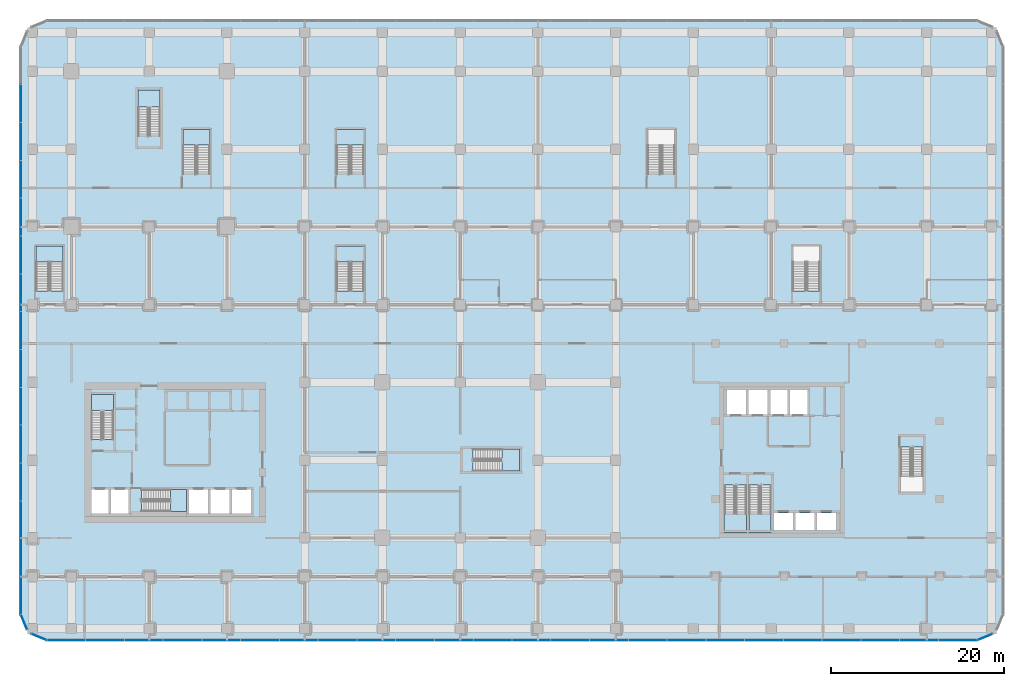
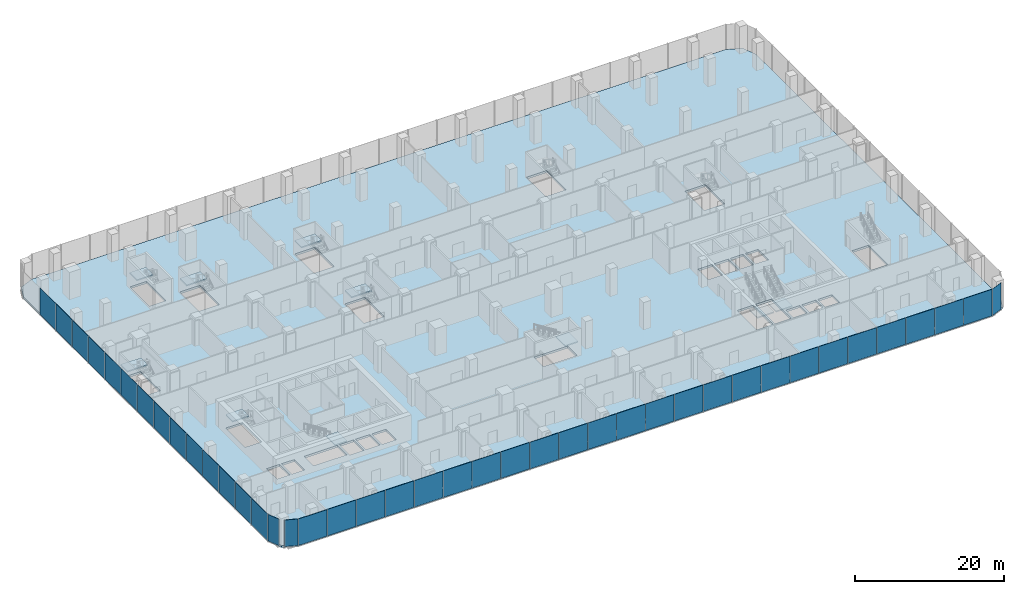
# One storey, part 26 of 43: 41 plates, 11 slabs, 15 elements without a shape of their own.
"""IFC4 building model written with IfcOpenShell, lengths in metres."""

from ifc_helpers import new_model, si_unit, direction, frame, origin, origin_2d, place, context, subcontext, project, spatial, polyline, rectangle, outline, extrude, material, layer, layer_set, type_object, element, aggregate, save


model = new_model("IFC4")

# Units and contexts
model_context = context("Model", 3, precision=1e-05, world=origin(), true_north=direction((0.0, 1.0)))
body_context = subcontext(model_context, "Body", "Model", "MODEL_VIEW")
ifc_project = project(units=[si_unit("LENGTHUNIT", "METRE"), si_unit("AREAUNIT", "SQUARE_METRE"), si_unit("VOLUMEUNIT", "CUBIC_METRE"), si_unit("PLANEANGLEUNIT", "RADIAN"), si_unit("MASSUNIT", "GRAM", prefix="KILO")], contexts=[model_context])

# Site, building, storey
site_placement = place(None, origin())
site = spatial("IfcSite", under=ifc_project, at=site_placement, CompositionType="ELEMENT")
building_placement = place(site_placement, origin())
building = spatial("IfcBuilding", under=site, at=building_placement, Name="Plateau Cross Towers", CompositionType="ELEMENT")
storey_placement = place(building_placement, frame((0.0, 0.0, 17.300048828125)))
storey = spatial("IfcBuildingStorey", under=building, at=storey_placement, Name="L03", CompositionType="ELEMENT", Elevation=17.300048828125)

# Curtain wall, plates
ifc_material_1 = material(Name="Dark low-iron laminated glass", Category="glass")
ifc_layer_1 = layer(ifc_material_1, 0.300048828125)
ifc_layer_set_1 = layer_set([ifc_layer_1], Name="Dark low-iron laminated glass")
curtain_wall_type = type_object("IfcCurtainWallType", Name="Curtain wall structural silicone CW-C", PredefinedType="NOTDEFINED", material=ifc_layer_set_1)
curtain_wall_1_placement = place(storey_placement, origin())
curtain_wall_1 = element("IfcCurtainWall", 1, at=curtain_wall_1_placement, inside=storey, type_object=curtain_wall_type, Name="ENV/P/L03/P-28_-118", PredefinedType="NOTDEFINED")
ifc_layer_2 = layer(ifc_material_1, 0.0439453125)
ifc_layer_set_2 = layer_set([ifc_layer_2], Name="Dark low-iron laminated glass")
plate_type = type_object("IfcPlateType", Name="Glass panel 44 structural silicone", PredefinedType="CURTAIN_PANEL", material=ifc_layer_set_2)
plate_1_placement = place(storey_placement, frame((-0.606201171875, -11.85009765625, -0.2001953125), z_axis=(0.0, 0.0, 1.0), x_axis=(1.0, 0.0, 0.0)))
plate_1 = element("IfcPlate", 2, at=plate_1_placement, type_object=plate_type, Name="CW-C panel 1", PredefinedType="CURTAIN_PANEL", context=body_context, shape_type="SweptSolid", body=[
    extrude(rectangle(XDim=4.4375, YDim=0.0439453125, at=origin_2d()), origin(), (0.0, 0.0, 1.0), 4.35009765625),
])
plate_2_placement = place(storey_placement, frame((3.88134765625, -11.85009765625, -0.2001953125), z_axis=(0.0, 0.0, 1.0), x_axis=(1.0, 0.0, 0.0)))
plate_2 = element("IfcPlate", 3, at=plate_2_placement, type_object=plate_type, Name="CW-C panel 2", PredefinedType="CURTAIN_PANEL", context=body_context, shape_type="SweptSolid", body=[
    extrude(rectangle(XDim=4.4375, YDim=0.0439453125, at=origin_2d()), origin(), (0.0, 0.0, 1.0), 4.35009765625),
])
plate_3_placement = place(storey_placement, frame((8.36865234375, -11.85009765625, -0.2001953125), z_axis=(0.0, 0.0, 1.0), x_axis=(1.0, 0.0, 0.0)))
plate_3 = element("IfcPlate", 4, at=plate_3_placement, type_object=plate_type, Name="CW-C panel 3", PredefinedType="CURTAIN_PANEL", context=body_context, shape_type="SweptSolid", body=[
    extrude(rectangle(XDim=4.4375, YDim=0.0439453125, at=origin_2d()), origin(), (0.0, 0.0, 1.0), 4.35009765625),
])
plate_4_placement = place(storey_placement, frame((12.856201171875, -11.85009765625, -0.2001953125), z_axis=(0.0, 0.0, 1.0), x_axis=(1.0, 0.0, 0.0)))
plate_4 = element("IfcPlate", 5, at=plate_4_placement, type_object=plate_type, Name="CW-C panel 4", PredefinedType="CURTAIN_PANEL", context=body_context, shape_type="SweptSolid", body=[
    extrude(rectangle(XDim=4.4375, YDim=0.0439453125, at=origin_2d()), origin(), (0.0, 0.0, 1.0), 4.35009765625),
])
plate_5_placement = place(storey_placement, frame((17.34375, -11.85009765625, -0.2001953125), z_axis=(0.0, 0.0, 1.0), x_axis=(1.0, 0.0, 0.0)))
plate_5 = element("IfcPlate", 6, at=plate_5_placement, type_object=plate_type, Name="CW-C panel 5", PredefinedType="CURTAIN_PANEL", context=body_context, shape_type="SweptSolid", body=[
    extrude(rectangle(XDim=4.4375, YDim=0.0439453125, at=origin_2d()), origin(), (0.0, 0.0, 1.0), 4.35009765625),
])
plate_6_placement = place(storey_placement, frame((21.831298828125, -11.85009765625, -0.2001953125), z_axis=(0.0, 0.0, 1.0), x_axis=(1.0, 0.0, 0.0)))
plate_6 = element("IfcPlate", 7, at=plate_6_placement, type_object=plate_type, Name="CW-C panel 6", PredefinedType="CURTAIN_PANEL", context=body_context, shape_type="SweptSolid", body=[
    extrude(rectangle(XDim=4.4375, YDim=0.0439453125, at=origin_2d()), origin(), (0.0, 0.0, 1.0), 4.35009765625),
])
plate_7_placement = place(storey_placement, frame((26.31884765625, -11.85009765625, -0.2001953125), z_axis=(0.0, 0.0, 1.0), x_axis=(1.0, 0.0, 0.0)))
plate_7 = element("IfcPlate", 8, at=plate_7_placement, type_object=plate_type, Name="CW-C panel 7", PredefinedType="CURTAIN_PANEL", context=body_context, shape_type="SweptSolid", body=[
    extrude(rectangle(XDim=4.4375, YDim=0.0439453125, at=origin_2d()), origin(), (0.0, 0.0, 1.0), 4.35009765625),
])
plate_8_placement = place(storey_placement, frame((30.80615234375, -11.85009765625, -0.2001953125), z_axis=(0.0, 0.0, 1.0), x_axis=(1.0, 0.0, 0.0)))
plate_8 = element("IfcPlate", 9, at=plate_8_placement, type_object=plate_type, Name="CW-C panel 8", PredefinedType="CURTAIN_PANEL", context=body_context, shape_type="SweptSolid", body=[
    extrude(rectangle(XDim=4.4375, YDim=0.0439453125, at=origin_2d()), origin(), (0.0, 0.0, 1.0), 4.35009765625),
])
plate_9_placement = place(storey_placement, frame((35.293701171875, -11.85009765625, -0.2001953125), z_axis=(0.0, 0.0, 1.0), x_axis=(1.0, 0.0, 0.0)))
plate_9 = element("IfcPlate", 10, at=plate_9_placement, type_object=plate_type, Name="CW-C panel 9", PredefinedType="CURTAIN_PANEL", context=body_context, shape_type="SweptSolid", body=[
    extrude(rectangle(XDim=4.4375, YDim=0.0439453125, at=origin_2d()), origin(), (0.0, 0.0, 1.0), 4.35009765625),
])
plate_10_placement = place(storey_placement, frame((39.78125, -11.85009765625, -0.2001953125), z_axis=(0.0, 0.0, 1.0), x_axis=(1.0, 0.0, 0.0)))
plate_10 = element("IfcPlate", 11, at=plate_10_placement, type_object=plate_type, Name="CW-C panel 10", PredefinedType="CURTAIN_PANEL", context=body_context, shape_type="SweptSolid", body=[
    extrude(rectangle(XDim=4.4375, YDim=0.0439453125, at=origin_2d()), origin(), (0.0, 0.0, 1.0), 4.35009765625),
])
plate_11_placement = place(storey_placement, frame((44.268798828125, -11.85009765625, -0.2001953125), z_axis=(0.0, 0.0, 1.0), x_axis=(1.0, 0.0, 0.0)))
plate_11 = element("IfcPlate", 12, at=plate_11_placement, type_object=plate_type, Name="CW-C panel 11", PredefinedType="CURTAIN_PANEL", context=body_context, shape_type="SweptSolid", body=[
    extrude(rectangle(XDim=4.4375, YDim=0.0439453125, at=origin_2d()), origin(), (0.0, 0.0, 1.0), 4.35009765625),
])
plate_12_placement = place(storey_placement, frame((48.75634765625, -11.85009765625, -0.2001953125), z_axis=(0.0, 0.0, 1.0), x_axis=(1.0, 0.0, 0.0)))
plate_12 = element("IfcPlate", 13, at=plate_12_placement, type_object=plate_type, Name="CW-C panel 12", PredefinedType="CURTAIN_PANEL", context=body_context, shape_type="SweptSolid", body=[
    extrude(rectangle(XDim=4.4375, YDim=0.0439453125, at=origin_2d()), origin(), (0.0, 0.0, 1.0), 4.35009765625),
])
plate_13_placement = place(storey_placement, frame((53.24365234375, -11.85009765625, -0.2001953125), z_axis=(0.0, 0.0, 1.0), x_axis=(1.0, 0.0, 0.0)))
plate_13 = element("IfcPlate", 14, at=plate_13_placement, type_object=plate_type, Name="CW-C panel 13", PredefinedType="CURTAIN_PANEL", context=body_context, shape_type="SweptSolid", body=[
    extrude(rectangle(XDim=4.4375, YDim=0.0439453125, at=origin_2d()), origin(), (0.0, 0.0, 1.0), 4.35009765625),
])
plate_14_placement = place(storey_placement, frame((57.731201171875, -11.85009765625, -0.2001953125), z_axis=(0.0, 0.0, 1.0), x_axis=(1.0, 0.0, 0.0)))
plate_14 = element("IfcPlate", 15, at=plate_14_placement, type_object=plate_type, Name="CW-C panel 14", PredefinedType="CURTAIN_PANEL", context=body_context, shape_type="SweptSolid", body=[
    extrude(rectangle(XDim=4.4375, YDim=0.0439453125, at=origin_2d()), origin(), (0.0, 0.0, 1.0), 4.35009765625),
])
plate_15_placement = place(storey_placement, frame((62.21875, -11.85009765625, -0.2001953125), z_axis=(0.0, 0.0, 1.0), x_axis=(1.0, 0.0, 0.0)))
plate_15 = element("IfcPlate", 16, at=plate_15_placement, type_object=plate_type, Name="CW-C panel 15", PredefinedType="CURTAIN_PANEL", context=body_context, shape_type="SweptSolid", body=[
    extrude(rectangle(XDim=4.4375, YDim=0.0439453125, at=origin_2d()), origin(), (0.0, 0.0, 1.0), 4.35009765625),
])
plate_16_placement = place(storey_placement, frame((66.706298828125, -11.85009765625, -0.2001953125), z_axis=(0.0, 0.0, 1.0), x_axis=(1.0, 0.0, 0.0)))
plate_16 = element("IfcPlate", 17, at=plate_16_placement, type_object=plate_type, Name="CW-C panel 16", PredefinedType="CURTAIN_PANEL", context=body_context, shape_type="SweptSolid", body=[
    extrude(rectangle(XDim=4.4375, YDim=0.0439453125, at=origin_2d()), origin(), (0.0, 0.0, 1.0), 4.35009765625),
])
plate_17_placement = place(storey_placement, frame((71.19384765625, -11.85009765625, -0.2001953125), z_axis=(0.0, 0.0, 1.0), x_axis=(1.0, 0.0, 0.0)))
plate_17 = element("IfcPlate", 18, at=plate_17_placement, type_object=plate_type, Name="CW-C panel 17", PredefinedType="CURTAIN_PANEL", context=body_context, shape_type="SweptSolid", body=[
    extrude(rectangle(XDim=4.4375, YDim=0.0439453125, at=origin_2d()), origin(), (0.0, 0.0, 1.0), 4.35009765625),
])
plate_18_placement = place(storey_placement, frame((75.68115234375, -11.85009765625, -0.2001953125), z_axis=(0.0, 0.0, 1.0), x_axis=(1.0, 0.0, 0.0)))
plate_18 = element("IfcPlate", 19, at=plate_18_placement, type_object=plate_type, Name="CW-C panel 18", PredefinedType="CURTAIN_PANEL", context=body_context, shape_type="SweptSolid", body=[
    extrude(rectangle(XDim=4.4375, YDim=0.0439453125, at=origin_2d()), origin(), (0.0, 0.0, 1.0), 4.35009765625),
])
plate_19_placement = place(storey_placement, frame((80.168701171875, -11.85009765625, -0.2001953125), z_axis=(0.0, 0.0, 1.0), x_axis=(1.0, 0.0, 0.0)))
plate_19 = element("IfcPlate", 20, at=plate_19_placement, type_object=plate_type, Name="CW-C panel 19", PredefinedType="CURTAIN_PANEL", context=body_context, shape_type="SweptSolid", body=[
    extrude(rectangle(XDim=4.4375, YDim=0.0439453125, at=origin_2d()), origin(), (0.0, 0.0, 1.0), 4.35009765625),
])
plate_20_placement = place(storey_placement, frame((84.65625, -11.85009765625, -0.2001953125), z_axis=(0.0, 0.0, 1.0), x_axis=(1.0, 0.0, 0.0)))
plate_20 = element("IfcPlate", 21, at=plate_20_placement, type_object=plate_type, Name="CW-C panel 20", PredefinedType="CURTAIN_PANEL", context=body_context, shape_type="SweptSolid", body=[
    extrude(rectangle(XDim=4.4375, YDim=0.0439453125, at=origin_2d()), origin(), (0.0, 0.0, 1.0), 4.35009765625),
])
plate_21_placement = place(storey_placement, frame((89.143798828125, -11.85009765625, -0.2001953125), z_axis=(0.0, 0.0, 1.0), x_axis=(1.0, 0.0, 0.0)))
plate_21 = element("IfcPlate", 22, at=plate_21_placement, type_object=plate_type, Name="CW-C panel 21", PredefinedType="CURTAIN_PANEL", context=body_context, shape_type="SweptSolid", body=[
    extrude(rectangle(XDim=4.4375, YDim=0.0439453125, at=origin_2d()), origin(), (0.0, 0.0, 1.0), 4.35009765625),
])
plate_22_placement = place(storey_placement, frame((93.63134765625, -11.85009765625, -0.2001953125), z_axis=(0.0, 0.0, 1.0), x_axis=(1.0, 0.0, 0.0)))
plate_22 = element("IfcPlate", 23, at=plate_22_placement, type_object=plate_type, Name="CW-C panel 22", PredefinedType="CURTAIN_PANEL", context=body_context, shape_type="SweptSolid", body=[
    extrude(rectangle(XDim=4.4375, YDim=0.0439453125, at=origin_2d()), origin(), (0.0, 0.0, 1.0), 4.35009765625),
])
plate_23_placement = place(storey_placement, frame((98.11865234375, -11.85009765625, -0.2001953125), z_axis=(0.0, 0.0, 1.0), x_axis=(1.0, 0.0, 0.0)))
plate_23 = element("IfcPlate", 24, at=plate_23_placement, type_object=plate_type, Name="CW-C panel 23", PredefinedType="CURTAIN_PANEL", context=body_context, shape_type="SweptSolid", body=[
    extrude(rectangle(XDim=4.4375, YDim=0.0439453125, at=origin_2d()), origin(), (0.0, 0.0, 1.0), 4.35009765625),
])
plate_24_placement = place(storey_placement, frame((102.606201171875, -11.85009765625, -0.2001953125), z_axis=(0.0, 0.0, 1.0), x_axis=(1.0, 0.0, 0.0)))
plate_24 = element("IfcPlate", 25, at=plate_24_placement, type_object=plate_type, Name="CW-C panel 24", PredefinedType="CURTAIN_PANEL", context=body_context, shape_type="SweptSolid", body=[
    extrude(rectangle(XDim=4.4375, YDim=0.0439453125, at=origin_2d()), origin(), (0.0, 0.0, 1.0), 4.35009765625),
])
aggregate(curtain_wall_1, [plate_1, plate_2, plate_3, plate_4, plate_5, plate_6, plate_7, plate_8, plate_9, plate_10, plate_11, plate_12, plate_13, plate_14, plate_15, plate_16, plate_17, plate_18, plate_19, plate_20, plate_21, plate_22, plate_23, plate_24])

# Curtain wall, plate
curtain_wall_2_placement = place(storey_placement, origin())
curtain_wall_2 = element("IfcCurtainWall", 26, at=curtain_wall_2_placement, inside=storey, type_object=curtain_wall_type, Name="ENV/P/L03/P1048_-118", PredefinedType="NOTDEFINED")
plate_25_placement = place(storey_placement, frame((105.731201171875, -11.485107421875, -0.2001953125), z_axis=(0.0, 0.0, 1.0), x_axis=(0.923879457699, 0.382683612978, 0.0)))
plate_25 = element("IfcPlate", 27, at=plate_25_placement, type_object=plate_type, Name="CW-C panel 1", PredefinedType="CURTAIN_PANEL", context=body_context, shape_type="SweptSolid", body=[
    extrude(rectangle(XDim=1.857666015625, YDim=0.0439453125, at=origin_2d()), origin(), (0.0, 0.0, 1.0), 4.35009765625),
])
aggregate(curtain_wall_2, [plate_25])

# Curtain wall, plates
curtain_wall_3_placement = place(storey_placement, origin())
curtain_wall_3 = element("IfcCurtainWall", 28, at=curtain_wall_3_placement, inside=storey, type_object=curtain_wall_type, Name="ENV/P/L03/P-58_568", PredefinedType="NOTDEFINED")
plate_26_placement = place(storey_placement, frame((-5.85009765625, 50.280029296875, -0.2001953125), z_axis=(0.0, 0.0, 1.0), x_axis=(0.0, -1.0, 0.0)))
plate_26 = element("IfcPlate", 29, at=plate_26_placement, type_object=plate_type, Name="CW-C panel 2", PredefinedType="CURTAIN_PANEL", context=body_context, shape_type="SweptSolid", body=[
    extrude(rectangle(XDim=4.330078125, YDim=0.0439453125, at=origin_2d()), origin(), (0.0, 0.0, 1.0), 4.35009765625),
])
plate_27_placement = place(storey_placement, frame((-5.85009765625, 45.89990234375, -0.2001953125), z_axis=(0.0, 0.0, 1.0), x_axis=(0.0, -1.0, 0.0)))
plate_27 = element("IfcPlate", 30, at=plate_27_placement, type_object=plate_type, Name="CW-C panel 3", PredefinedType="CURTAIN_PANEL", context=body_context, shape_type="SweptSolid", body=[
    extrude(rectangle(XDim=4.330078125, YDim=0.0439453125, at=origin_2d()), origin(), (0.0, 0.0, 1.0), 4.35009765625),
])
plate_28_placement = place(storey_placement, frame((-5.85009765625, 41.52001953125, -0.2001953125), z_axis=(0.0, 0.0, 1.0), x_axis=(0.0, -1.0, 0.0)))
plate_28 = element("IfcPlate", 31, at=plate_28_placement, type_object=plate_type, Name="CW-C panel 4", PredefinedType="CURTAIN_PANEL", context=body_context, shape_type="SweptSolid", body=[
    extrude(rectangle(XDim=4.330078125, YDim=0.0439453125, at=origin_2d()), origin(), (0.0, 0.0, 1.0), 4.35009765625),
])
plate_29_placement = place(storey_placement, frame((-5.85009765625, 37.139892578125, -0.2001953125), z_axis=(0.0, 0.0, 1.0), x_axis=(0.0, -1.0, 0.0)))
plate_29 = element("IfcPlate", 32, at=plate_29_placement, type_object=plate_type, Name="CW-C panel 5", PredefinedType="CURTAIN_PANEL", context=body_context, shape_type="SweptSolid", body=[
    extrude(rectangle(XDim=4.330078125, YDim=0.0439453125, at=origin_2d()), origin(), (0.0, 0.0, 1.0), 4.35009765625),
])
plate_30_placement = place(storey_placement, frame((-5.85009765625, 32.760009765625, -0.2001953125), z_axis=(0.0, 0.0, 1.0), x_axis=(0.0, -1.0, 0.0)))
plate_30 = element("IfcPlate", 33, at=plate_30_placement, type_object=plate_type, Name="CW-C panel 6", PredefinedType="CURTAIN_PANEL", context=body_context, shape_type="SweptSolid", body=[
    extrude(rectangle(XDim=4.330078125, YDim=0.0439453125, at=origin_2d()), origin(), (0.0, 0.0, 1.0), 4.35009765625),
])
plate_31_placement = place(storey_placement, frame((-5.85009765625, 28.3798828125, -0.2001953125), z_axis=(0.0, 0.0, 1.0), x_axis=(0.0, -1.0, 0.0)))
plate_31 = element("IfcPlate", 34, at=plate_31_placement, type_object=plate_type, Name="CW-C panel 7", PredefinedType="CURTAIN_PANEL", context=body_context, shape_type="SweptSolid", body=[
    extrude(rectangle(XDim=4.330078125, YDim=0.0439453125, at=origin_2d()), origin(), (0.0, 0.0, 1.0), 4.35009765625),
])
plate_32_placement = place(storey_placement, frame((-5.85009765625, 24.0, -0.2001953125), z_axis=(0.0, 0.0, 1.0), x_axis=(0.0, -1.0, 0.0)))
plate_32 = element("IfcPlate", 35, at=plate_32_placement, type_object=plate_type, Name="CW-C panel 8", PredefinedType="CURTAIN_PANEL", context=body_context, shape_type="SweptSolid", body=[
    extrude(rectangle(XDim=4.330078125, YDim=0.0439453125, at=origin_2d()), origin(), (0.0, 0.0, 1.0), 4.35009765625),
])
plate_33_placement = place(storey_placement, frame((-5.85009765625, 19.6201171875, -0.2001953125), z_axis=(0.0, 0.0, 1.0), x_axis=(0.0, -1.0, 0.0)))
plate_33 = element("IfcPlate", 36, at=plate_33_placement, type_object=plate_type, Name="CW-C panel 9", PredefinedType="CURTAIN_PANEL", context=body_context, shape_type="SweptSolid", body=[
    extrude(rectangle(XDim=4.330078125, YDim=0.0439453125, at=origin_2d()), origin(), (0.0, 0.0, 1.0), 4.35009765625),
])
plate_34_placement = place(storey_placement, frame((-5.85009765625, 15.239990234375, -0.2001953125), z_axis=(0.0, 0.0, 1.0), x_axis=(0.0, -1.0, 0.0)))
plate_34 = element("IfcPlate", 37, at=plate_34_placement, type_object=plate_type, Name="CW-C panel 10", PredefinedType="CURTAIN_PANEL", context=body_context, shape_type="SweptSolid", body=[
    extrude(rectangle(XDim=4.330078125, YDim=0.0439453125, at=origin_2d()), origin(), (0.0, 0.0, 1.0), 4.35009765625),
])
plate_35_placement = place(storey_placement, frame((-5.85009765625, 10.860107421875, -0.2001953125), z_axis=(0.0, 0.0, 1.0), x_axis=(0.0, -1.0, 0.0)))
plate_35 = element("IfcPlate", 38, at=plate_35_placement, type_object=plate_type, Name="CW-C panel 11", PredefinedType="CURTAIN_PANEL", context=body_context, shape_type="SweptSolid", body=[
    extrude(rectangle(XDim=4.330078125, YDim=0.0439453125, at=origin_2d()), origin(), (0.0, 0.0, 1.0), 4.35009765625),
])
plate_36_placement = place(storey_placement, frame((-5.85009765625, 6.47998046875, -0.2001953125), z_axis=(0.0, 0.0, 1.0), x_axis=(0.0, -1.0, 0.0)))
plate_36 = element("IfcPlate", 39, at=plate_36_placement, type_object=plate_type, Name="CW-C panel 12", PredefinedType="CURTAIN_PANEL", context=body_context, shape_type="SweptSolid", body=[
    extrude(rectangle(XDim=4.330078125, YDim=0.0439453125, at=origin_2d()), origin(), (0.0, 0.0, 1.0), 4.35009765625),
])
plate_37_placement = place(storey_placement, frame((-5.85009765625, 2.10009765625, -0.2001953125), z_axis=(0.0, 0.0, 1.0), x_axis=(0.0, -1.0, 0.0)))
plate_37 = element("IfcPlate", 40, at=plate_37_placement, type_object=plate_type, Name="CW-C panel 13", PredefinedType="CURTAIN_PANEL", context=body_context, shape_type="SweptSolid", body=[
    extrude(rectangle(XDim=4.330078125, YDim=0.0439453125, at=origin_2d()), origin(), (0.0, 0.0, 1.0), 4.35009765625),
])
plate_38_placement = place(storey_placement, frame((-5.85009765625, -2.280029296875, -0.2001953125), z_axis=(0.0, 0.0, 1.0), x_axis=(0.0, -1.0, 0.0)))
plate_38 = element("IfcPlate", 41, at=plate_38_placement, type_object=plate_type, Name="CW-C panel 14", PredefinedType="CURTAIN_PANEL", context=body_context, shape_type="SweptSolid", body=[
    extrude(rectangle(XDim=4.330078125, YDim=0.0439453125, at=origin_2d()), origin(), (0.0, 0.0, 1.0), 4.35009765625),
])
plate_39_placement = place(storey_placement, frame((-5.85009765625, -6.659912109375, -0.2001953125), z_axis=(0.0, 0.0, 1.0), x_axis=(0.0, -1.0, 0.0)))
plate_39 = element("IfcPlate", 42, at=plate_39_placement, type_object=plate_type, Name="CW-C panel 15", PredefinedType="CURTAIN_PANEL", context=body_context, shape_type="SweptSolid", body=[
    extrude(rectangle(XDim=4.330078125, YDim=0.0439453125, at=origin_2d()), origin(), (0.0, 0.0, 1.0), 4.35009765625),
])
aggregate(curtain_wall_3, [plate_26, plate_27, plate_28, plate_29, plate_30, plate_31, plate_32, plate_33, plate_34, plate_35, plate_36, plate_37, plate_38, plate_39])

# Curtain wall, plate
curtain_wall_4_placement = place(storey_placement, origin())
curtain_wall_4 = element("IfcCurtainWall", 43, at=curtain_wall_4_placement, inside=storey, type_object=curtain_wall_type, Name="ENV/P/L03/P-58_-88", PredefinedType="NOTDEFINED")
plate_40_placement = place(storey_placement, frame((-5.485107421875, -9.731201171875, -0.2001953125), z_axis=(0.0, 0.0, 1.0), x_axis=(0.382683612978, -0.923879457699, 0.0)))
plate_40 = element("IfcPlate", 44, at=plate_40_placement, type_object=plate_type, Name="CW-C panel 1", PredefinedType="CURTAIN_PANEL", context=body_context, shape_type="SweptSolid", body=[
    extrude(rectangle(XDim=1.857666015625, YDim=0.0439453125, at=origin_2d()), origin(), (0.0, 0.0, 1.0), 4.35009765625),
])
aggregate(curtain_wall_4, [plate_40])

curtain_wall_5_placement = place(storey_placement, origin())
curtain_wall_5 = element("IfcCurtainWall", 45, at=curtain_wall_5_placement, inside=storey, type_object=curtain_wall_type, Name="ENV/P/L03/P-46_-111", PredefinedType="NOTDEFINED")
plate_41_placement = place(storey_placement, frame((-3.731201171875, -11.485107421875, -0.2001953125), z_axis=(0.0, 0.0, 1.0), x_axis=(0.923879457699, -0.382683612978, 0.0)))
plate_41 = element("IfcPlate", 46, at=plate_41_placement, type_object=plate_type, Name="CW-C panel 1", PredefinedType="CURTAIN_PANEL", context=body_context, shape_type="SweptSolid", body=[
    extrude(rectangle(XDim=1.857666015625, YDim=0.0439453125, at=origin_2d()), origin(), (0.0, 0.0, 1.0), 4.35009765625),
])
aggregate(curtain_wall_5, [plate_41])

# Slab
ifc_material_2 = material(Name="Concrete C40/50", Category="concrete")
ifc_layer_3 = layer(ifc_material_2, 0.35009765625)
ifc_layer_set_3 = layer_set([ifc_layer_3], Name="Concrete C40/50")
slab_type_1 = type_object("IfcSlabType", Name="Post-tensioned flat plate slab 350", PredefinedType="FLOOR", material=ifc_layer_set_3)
slab_1_placement = place(storey_placement, frame((0.0, 0.0, -0.35009765625)))
element("IfcSlab", 47, at=slab_1_placement, inside=storey, type_object=slab_type_1, Name="SL-P-L03", PredefinedType="FLOOR", context=body_context, shape_type="SweptSolid", body=[
    extrude(outline(polyline([(-4.971435546875, -10.971435546875), (-5.85009765625, -8.85009765625), (-5.85009765625, 56.85009765625), (-4.971435546875, 58.971435546875), (-2.85009765625, 59.85009765625), (104.85009765625, 59.85009765625), (106.971435546875, 58.971435546875), (107.85009765625, 56.85009765625), (107.85009765625, -8.85009765625), (106.971435546875, -10.971435546875), (104.85009765625, -11.85009765625), (-2.85009765625, -11.85009765625), (-4.971435546875, -10.971435546875)]), holes=[polyline([(4.300048828125, 2.800048828125), (4.300048828125, 5.60009765625), (2.300048828125, 5.60009765625), (2.300048828125, 2.800048828125), (4.300048828125, 2.800048828125)]), polyline([(4.60009765625, 2.800048828125), (6.60009765625, 2.800048828125), (6.60009765625, 5.60009765625), (4.60009765625, 5.60009765625), (4.60009765625, 2.800048828125)]), polyline([(13.60009765625, 2.800048828125), (15.800048828125, 2.800048828125), (15.800048828125, 5.60009765625), (13.60009765625, 5.60009765625), (13.60009765625, 2.800048828125)]), polyline([(18.300048828125, 2.800048828125), (18.300048828125, 5.60009765625), (16.10009765625, 5.60009765625), (16.10009765625, 2.800048828125), (18.300048828125, 2.800048828125)]), polyline([(18.60009765625, 2.800048828125), (20.800048828125, 2.800048828125), (20.800048828125, 5.60009765625), (18.60009765625, 5.60009765625), (18.60009765625, 2.800048828125)]), polyline([(8.10009765625, 3.050048828125), (13.300048828125, 3.050048828125), (13.300048828125, 5.60009765625), (8.10009765625, 5.60009765625), (8.10009765625, 3.050048828125)]), polyline([(51.699951171875, 7.72509765625), (51.699951171875, 10.27490234375), (46.5, 10.27490234375), (46.5, 7.72509765625), (51.699951171875, 7.72509765625)]), polyline([(4.85009765625, 11.39990234375), (4.85009765625, 16.60009765625), (2.300048828125, 16.60009765625), (2.300048828125, 11.39990234375), (4.85009765625, 11.39990234375)]), polyline([(-0.949951171875, 28.60009765625), (-0.949951171875, 33.800048828125), (-4.10009765625, 33.800048828125), (-4.10009765625, 28.60009765625), (-0.949951171875, 28.60009765625)]), polyline([(33.85009765625, 33.800048828125), (30.699951171875, 33.800048828125), (30.699951171875, 28.60009765625), (33.85009765625, 28.60009765625), (33.85009765625, 33.800048828125)]), polyline([(16.050048828125, 42.10009765625), (16.050048828125, 47.300048828125), (12.89990234375, 47.300048828125), (12.89990234375, 42.10009765625), (16.050048828125, 42.10009765625)]), polyline([(33.85009765625, 42.10009765625), (33.85009765625, 47.300048828125), (30.699951171875, 47.300048828125), (30.699951171875, 42.10009765625), (33.85009765625, 42.10009765625)]), polyline([(10.27490234375, 51.699951171875), (7.72509765625, 51.699951171875), (7.72509765625, 46.5), (10.27490234375, 46.5), (10.27490234375, 51.699951171875)]), polyline([(81.300048828125, 0.89990234375), (83.5, 0.89990234375), (83.5, 2.89990234375), (81.300048828125, 2.89990234375), (81.300048828125, 0.89990234375)]), polyline([(83.800048828125, 0.89990234375), (86.0, 0.89990234375), (86.0, 2.89990234375), (83.800048828125, 2.89990234375), (83.800048828125, 0.89990234375)]), polyline([(88.5, 0.89990234375), (88.5, 2.89990234375), (86.300048828125, 2.89990234375), (86.300048828125, 0.89990234375), (88.5, 0.89990234375)]), polyline([(75.60009765625, 6.10009765625), (75.60009765625, 0.89990234375), (78.14990234375, 0.89990234375), (78.14990234375, 6.10009765625), (75.60009765625, 6.10009765625)]), polyline([(78.449951171875, 6.10009765625), (78.449951171875, 0.89990234375), (81.0, 0.89990234375), (81.0, 6.10009765625), (78.449951171875, 6.10009765625)]), polyline([(96.0, 5.300048828125), (98.550048828125, 5.300048828125), (98.550048828125, 10.5), (96.0, 10.5), (96.0, 5.300048828125)]), polyline([(75.89990234375, 14.300048828125), (78.10009765625, 14.300048828125), (78.10009765625, 17.10009765625), (75.89990234375, 17.10009765625), (75.89990234375, 14.300048828125)]), polyline([(78.39990234375, 14.300048828125), (80.60009765625, 14.300048828125), (80.60009765625, 17.10009765625), (78.39990234375, 17.10009765625), (78.39990234375, 14.300048828125)]), polyline([(80.89990234375, 14.300048828125), (82.89990234375, 14.300048828125), (82.89990234375, 17.10009765625), (80.89990234375, 17.10009765625), (80.89990234375, 14.300048828125)]), polyline([(83.199951171875, 14.300048828125), (85.199951171875, 14.300048828125), (85.199951171875, 17.10009765625), (83.199951171875, 17.10009765625), (83.199951171875, 14.300048828125)]), polyline([(86.64990234375, 28.60009765625), (86.64990234375, 33.800048828125), (83.5, 33.800048828125), (83.5, 28.60009765625), (86.64990234375, 28.60009765625)]), polyline([(69.85009765625, 42.10009765625), (69.85009765625, 47.300048828125), (66.699951171875, 47.300048828125), (66.699951171875, 42.10009765625), (69.85009765625, 42.10009765625)])]), origin(), (0.0, 0.0, 1.0), 0.35009765625),
])

# Stair, slab
stair_type_1 = type_object("IfcStairType", Name="ST-TWR", PredefinedType="HALF_TURN_STAIR", material=ifc_material_2)
stair_1_placement = place(storey_placement, origin())
stair_1 = element("IfcStair", 48, at=stair_1_placement, inside=storey, type_object=stair_type_1, Name="L03 Protected Exit Stair ST-1", PredefinedType="HALF_TURN_STAIR")
ifc_layer_4 = layer(ifc_material_2, 0.199951171875)
ifc_layer_set_4 = layer_set([ifc_layer_4], Name="Concrete C40/50")
slab_type_2 = type_object("IfcSlabType", Name="SL-LANDING", PredefinedType="LANDING", material=ifc_layer_set_4)
slab_2_placement = place(storey_placement, frame((0.0, 0.0, 2.050048828125)))
slab_2 = element("IfcSlab", 49, at=slab_2_placement, type_object=slab_type_2, Name="ST-1 landing 1", PredefinedType="LANDING", context=body_context, shape_type="SweptSolid", body=[
    extrude(outline(polyline([(4.85009765625, 14.760009765625), (4.85009765625, 16.60009765625), (2.300048828125, 16.60009765625), (2.300048828125, 14.760009765625), (4.85009765625, 14.760009765625)])), origin(), (0.0, 0.0, 1.0), 0.199951171875),
])
aggregate(stair_1, [slab_2])

stair_2_placement = place(storey_placement, origin())
stair_2 = element("IfcStair", 50, at=stair_2_placement, inside=storey, type_object=stair_type_1, Name="L03 Protected Exit Stair ST-2", PredefinedType="HALF_TURN_STAIR")
slab_3_placement = place(storey_placement, frame((0.0, 0.0, 2.050048828125)))
slab_3 = element("IfcSlab", 51, at=slab_3_placement, type_object=slab_type_2, Name="ST-2 landing 1", PredefinedType="LANDING", context=body_context, shape_type="SweptSolid", body=[
    extrude(outline(polyline([(11.4599609375, 3.050048828125), (13.300048828125, 3.050048828125), (13.300048828125, 5.60009765625), (11.4599609375, 5.60009765625), (11.4599609375, 3.050048828125)])), origin(), (0.0, 0.0, 1.0), 0.199951171875),
])
aggregate(stair_2, [slab_3])

stair_3_placement = place(storey_placement, origin())
stair_3 = element("IfcStair", 52, at=stair_3_placement, inside=storey, type_object=stair_type_1, Name="L03 Protected Exit Stair SB-1", PredefinedType="HALF_TURN_STAIR")
slab_4_placement = place(storey_placement, frame((0.0, 0.0, 2.050048828125)))
slab_4 = element("IfcSlab", 53, at=slab_4_placement, type_object=slab_type_2, Name="SB-1 landing 1", PredefinedType="LANDING", context=body_context, shape_type="SweptSolid", body=[
    extrude(outline(polyline([(75.550048828125, 2.739990234375), (75.550048828125, 0.550048828125), (78.14990234375, 0.550048828125), (78.14990234375, 2.739990234375), (75.550048828125, 2.739990234375)])), origin(), (0.0, 0.0, 1.0), 0.199951171875),
])
aggregate(stair_3, [slab_4])

stair_4_placement = place(storey_placement, origin())
stair_4 = element("IfcStair", 54, at=stair_4_placement, inside=storey, type_object=stair_type_1, Name="L03 Protected Exit Stair SB-2", PredefinedType="HALF_TURN_STAIR")
slab_5_placement = place(storey_placement, frame((0.0, 0.0, 2.050048828125)))
slab_5 = element("IfcSlab", 55, at=slab_5_placement, type_object=slab_type_2, Name="SB-2 landing 1", PredefinedType="LANDING", context=body_context, shape_type="SweptSolid", body=[
    extrude(outline(polyline([(78.449951171875, 2.739990234375), (78.449951171875, 0.550048828125), (81.0, 0.550048828125), (81.0, 2.739990234375), (78.449951171875, 2.739990234375)])), origin(), (0.0, 0.0, 1.0), 0.199951171875),
])
aggregate(stair_4, [slab_5])

stair_5_placement = place(storey_placement, origin())
stair_5 = element("IfcStair", 56, at=stair_5_placement, inside=storey, type_object=stair_type_1, Name="L03 Protected Exit Stair E", PredefinedType="HALF_TURN_STAIR")
slab_6_placement = place(storey_placement, frame((0.0, 0.0, 2.050048828125)))
slab_6 = element("IfcSlab", 57, at=slab_6_placement, type_object=slab_type_2, Name="ES-E landing 1", PredefinedType="LANDING", context=body_context, shape_type="SweptSolid", body=[
    extrude(outline(polyline([(49.860107421875, 7.72509765625), (51.85009765625, 7.72509765625), (51.85009765625, 10.27490234375), (49.860107421875, 10.27490234375), (49.860107421875, 7.72509765625)])), origin(), (0.0, 0.0, 1.0), 0.199951171875),
])
aggregate(stair_5, [slab_6])

stair_6_placement = place(storey_placement, origin())
stair_6 = element("IfcStair", 58, at=stair_6_placement, inside=storey, type_object=stair_type_1, Name="L03 Protected Exit Stair N", PredefinedType="HALF_TURN_STAIR")
slab_7_placement = place(storey_placement, frame((0.0, 0.0, 2.050048828125)))
slab_7 = element("IfcSlab", 59, at=slab_7_placement, type_object=slab_type_2, Name="ES-N landing 1", PredefinedType="LANDING", context=body_context, shape_type="SweptSolid", body=[
    extrude(outline(polyline([(10.27490234375, 49.860107421875), (10.27490234375, 51.85009765625), (7.72509765625, 51.85009765625), (7.72509765625, 49.860107421875), (10.27490234375, 49.860107421875)])), origin(), (0.0, 0.0, 1.0), 0.199951171875),
])
aggregate(stair_6, [slab_7])

stair_type_2 = type_object("IfcStairType", Name="Podium exit stair 1500", PredefinedType="HALF_TURN_STAIR", material=ifc_material_2)
stair_7_placement = place(storey_placement, origin())
stair_7 = element("IfcStair", 60, at=stair_7_placement, inside=storey, type_object=stair_type_2, Name="L03 Exit Stair 1", PredefinedType="HALF_TURN_STAIR")
slab_8_placement = place(storey_placement, frame((0.0, 0.0, 2.050048828125)))
slab_8 = element("IfcSlab", 61, at=slab_8_placement, type_object=slab_type_2, Name="PS1 landing 1", PredefinedType="LANDING", context=body_context, shape_type="SweptSolid", body=[
    extrude(outline(polyline([(33.85009765625, 31.9599609375), (33.85009765625, 33.800048828125), (30.699951171875, 33.800048828125), (30.699951171875, 31.9599609375), (33.85009765625, 31.9599609375)])), origin(), (0.0, 0.0, 1.0), 0.199951171875),
])
aggregate(stair_7, [slab_8])

stair_8_placement = place(storey_placement, origin())
stair_8 = element("IfcStair", 62, at=stair_8_placement, inside=storey, type_object=stair_type_2, Name="L03 Exit Stair 2", PredefinedType="HALF_TURN_STAIR")
slab_9_placement = place(storey_placement, frame((0.0, 0.0, 2.050048828125)))
slab_9 = element("IfcSlab", 63, at=slab_9_placement, type_object=slab_type_2, Name="PS2 landing 1", PredefinedType="LANDING", context=body_context, shape_type="SweptSolid", body=[
    extrude(outline(polyline([(33.85009765625, 45.4599609375), (33.85009765625, 47.300048828125), (30.699951171875, 47.300048828125), (30.699951171875, 45.4599609375), (33.85009765625, 45.4599609375)])), origin(), (0.0, 0.0, 1.0), 0.199951171875),
])
aggregate(stair_8, [slab_9])

stair_9_placement = place(storey_placement, origin())
stair_9 = element("IfcStair", 64, at=stair_9_placement, inside=storey, type_object=stair_type_2, Name="L03 Exit Stair 4", PredefinedType="HALF_TURN_STAIR")
slab_10_placement = place(storey_placement, frame((0.0, 0.0, 2.050048828125)))
slab_10 = element("IfcSlab", 65, at=slab_10_placement, type_object=slab_type_2, Name="PS4 landing 1", PredefinedType="LANDING", context=body_context, shape_type="SweptSolid", body=[
    extrude(outline(polyline([(-0.949951171875, 31.9599609375), (-0.949951171875, 33.800048828125), (-4.10009765625, 33.800048828125), (-4.10009765625, 31.9599609375), (-0.949951171875, 31.9599609375)])), origin(), (0.0, 0.0, 1.0), 0.199951171875),
])
aggregate(stair_9, [slab_10])

stair_10_placement = place(storey_placement, origin())
stair_10 = element("IfcStair", 66, at=stair_10_placement, inside=storey, type_object=stair_type_2, Name="L03 Exit Stair 6", PredefinedType="HALF_TURN_STAIR")
slab_11_placement = place(storey_placement, frame((0.0, 0.0, 2.050048828125)))
slab_11 = element("IfcSlab", 67, at=slab_11_placement, type_object=slab_type_2, Name="PS6 landing 1", PredefinedType="LANDING", context=body_context, shape_type="SweptSolid", body=[
    extrude(outline(polyline([(16.050048828125, 45.4599609375), (16.050048828125, 47.300048828125), (12.89990234375, 47.300048828125), (12.89990234375, 45.4599609375), (16.050048828125, 45.4599609375)])), origin(), (0.0, 0.0, 1.0), 0.199951171875),
])
aggregate(stair_10, [slab_11])

save(model, "model.ifc")
